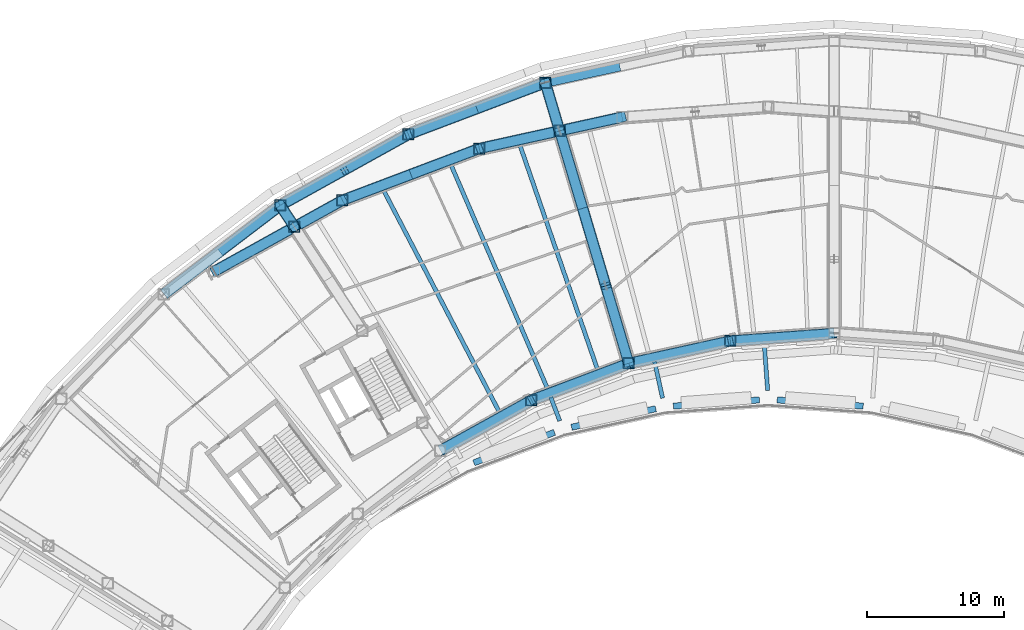
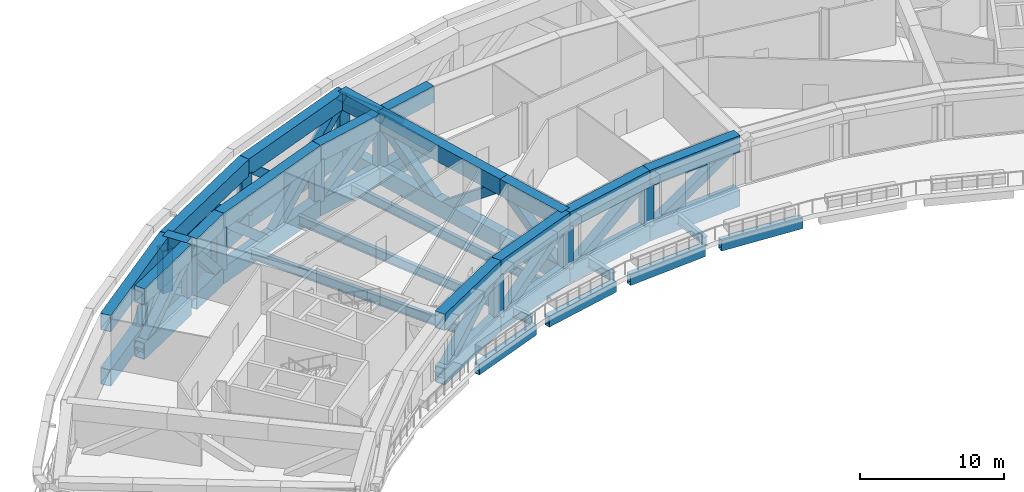
# One storey, part 2 of 25: 42 beams, 31 members.
"""IFC4 building model written with IfcOpenShell, lengths in metres."""

from ifc_helpers import new_model, si_unit, direction, frame, origin, origin_2d, place, context, subcontext, project, spatial, hollow_rectangle, i_section, extrude, material, material_profile, profile_set, type_object, element, save


model = new_model("IFC4")

# Units and contexts
model_context = context("Model", 3, precision=1e-05, world=origin(), true_north=direction((0.0, 1.0)))
body_context = subcontext(model_context, "Body", "Model", "MODEL_VIEW")
ifc_project = project(units=[si_unit("LENGTHUNIT", "METRE"), si_unit("AREAUNIT", "SQUARE_METRE"), si_unit("VOLUMEUNIT", "CUBIC_METRE"), si_unit("PLANEANGLEUNIT", "RADIAN"), si_unit("MASSUNIT", "GRAM", prefix="KILO")], contexts=[model_context])

# Site, building, storey
site_placement = place(None, origin())
site = spatial("IfcSite", under=ifc_project, at=site_placement, CompositionType="ELEMENT")
building_placement = place(site_placement, origin())
building = spatial("IfcBuilding", under=site, at=building_placement, Name="Tuul Gate Civic Tower", CompositionType="ELEMENT")
storey_placement = place(building_placement, frame((0.0, 0.0, 60.89990234375)))
storey = spatial("IfcBuildingStorey", under=building, at=storey_placement, Name="Plant and refuge floor 2", CompositionType="ELEMENT", Elevation=60.89990234375)

# Beams
ifc_material_1 = material(Name="Steel S355", Category="steel")
ifc_material_profile_1 = material_profile(ifc_material_1, i_section(OverallWidth=0.300048828125, OverallDepth=0.800048828125, WebThickness=0.013916015625, FlangeThickness=0.02490234375, at=origin_2d()), Name="PG800x300x14x25")
ifc_profile_set_1 = profile_set([ifc_material_profile_1], Name="Steel S355")
beam_type_1 = type_object("IfcBeamType", Name="STR-FLOOR BEAM-PG800x300x14x25", PredefinedType="BEAM", material=ifc_profile_set_1)
beam_1_placement = place(storey_placement, frame((-12.44580078125, -5.31494140625, -0.7998046875), z_axis=(-0.326922025465, 0.945051315679, 0.0), x_axis=(-0.945051315679, -0.326922025465, 0.0)))
element("IfcBeam", 1, at=beam_1_placement, inside=storey, type_object=beam_type_1, Name="Floor beam", PredefinedType="BEAM", context=body_context, shape_type="SweptSolid", body=[
    extrude(i_section(OverallWidth=0.300048828125, OverallDepth=0.800048828125, WebThickness=0.013916015625, FlangeThickness=0.02490234375, at=origin_2d()), origin(), (0.0, 0.0, 1.0), 17.390380859375),
])
beam_2_placement = place(storey_placement, frame((-16.099609375, -6.697021484375, -0.7998046875), z_axis=(-0.395922163461, 0.918284073955, 0.0), x_axis=(-0.918284073955, -0.395922163461, 0.0)))
element("IfcBeam", 2, at=beam_2_placement, inside=storey, type_object=beam_type_1, Name="Floor beam", PredefinedType="BEAM", context=body_context, shape_type="SweptSolid", body=[
    extrude(i_section(OverallWidth=0.300048828125, OverallDepth=0.800048828125, WebThickness=0.013916015625, FlangeThickness=0.02490234375, at=origin_2d()), origin(), (0.0, 0.0, 1.0), 17.822021484375),
])
beam_3_placement = place(storey_placement, frame((-19.61083984375, -8.40966796875, -0.7998046875), z_axis=(-0.462727909625, 0.886500356263, 0.0), x_axis=(-0.886500356263, -0.462727909625, 0.0)))
element("IfcBeam", 3, at=beam_3_placement, inside=storey, type_object=beam_type_1, Name="Floor beam", PredefinedType="BEAM", context=body_context, shape_type="SweptSolid", body=[
    extrude(i_section(OverallWidth=0.300048828125, OverallDepth=0.800048828125, WebThickness=0.013916015625, FlangeThickness=0.02490234375, at=origin_2d()), origin(), (0.0, 0.0, 1.0), 18.2939453125),
])
beam_4_placement = place(storey_placement, frame((-15.216064453125, -9.031982421875, -0.7998046875), z_axis=(-0.353817073817, 0.935314641324, 0.0), x_axis=(-0.935314641324, -0.353817073817, 0.0)))
element("IfcBeam", 4, at=beam_4_placement, inside=storey, type_object=beam_type_1, Name="Terrace beam", PredefinedType="BEAM", context=body_context, shape_type="SweptSolid", body=[
    extrude(i_section(OverallWidth=0.300048828125, OverallDepth=0.800048828125, WebThickness=0.013916015625, FlangeThickness=0.02490234375, at=origin_2d()), origin(), (0.0, 0.0, 1.0), 1.846435546875),
])
beam_5_placement = place(storey_placement, frame((-7.7119140625, -7.371337890625, -0.7998046875), z_axis=(-0.215128040591, 0.97658585191, 0.0), x_axis=(-0.97658585191, -0.215128040591, 0.0)))
element("IfcBeam", 5, at=beam_5_placement, inside=storey, type_object=beam_type_1, Name="Terrace beam", PredefinedType="BEAM", context=body_context, shape_type="SweptSolid", body=[
    extrude(i_section(OverallWidth=0.300048828125, OverallDepth=0.800048828125, WebThickness=0.013916015625, FlangeThickness=0.02490234375, at=origin_2d()), origin(), (0.0, 0.0, 1.0), 2.711181640625),
])
beam_6_placement = place(storey_placement, frame((-0.047119140625, -6.80859375, -0.7998046875), z_axis=(-0.072313506999, 0.997381951263, 0.0), x_axis=(-0.997381951263, -0.072313506999, 0.0)))
element("IfcBeam", 6, at=beam_6_placement, inside=storey, type_object=beam_type_1, Name="Terrace beam", PredefinedType="BEAM", context=body_context, shape_type="SweptSolid", body=[
    extrude(i_section(OverallWidth=0.300048828125, OverallDepth=0.800048828125, WebThickness=0.013916015625, FlangeThickness=0.02490234375, at=origin_2d()), origin(), (0.0, 0.0, 1.0), 3.497802734375),
])
ifc_material_2 = material(Name="Steel S355", Category="steel")
ifc_material_profile_2 = material_profile(ifc_material_2, hollow_rectangle(XDim=0.449951171875, YDim=0.89990234375, WallThickness=0.02490234375, at=origin_2d()), Name="BOX900x450x25")
ifc_profile_set_2 = profile_set([ifc_material_profile_2], Name="Steel S355")
beam_type_2 = type_object("IfcBeamType", Name="STR-SPANDREL BEAM-BOX900x450x25", PredefinedType="BEAM", material=ifc_profile_set_2)
beam_7_placement = place(storey_placement, frame((-21.47900390625, -12.09521484375, -0.849853515625), z_axis=(0.93536086851, 0.353694848225, 0.0), x_axis=(-0.353694848225, 0.93536086851, 0.0)))
element("IfcBeam", 7, at=beam_7_placement, inside=storey, type_object=beam_type_2, Name="Terrace edge beam", PredefinedType="BEAM", context=body_context, shape_type="SweptSolid", body=[
    extrude(hollow_rectangle(XDim=0.449951171875, YDim=0.89990234375, WallThickness=0.02490234375, at=origin_2d()), origin(), (0.0, 0.0, 1.0), 6.291748046875),
])
beam_8_placement = place(storey_placement, frame((-14.351318359375, -9.5, -0.849853515625), z_axis=(0.976570802394, 0.215196347349, 0.0), x_axis=(-0.215196347349, 0.976570802394, 0.0)))
element("IfcBeam", 8, at=beam_8_placement, inside=storey, type_object=beam_type_2, Name="Terrace edge beam", PredefinedType="BEAM", context=body_context, shape_type="SweptSolid", body=[
    extrude(hollow_rectangle(XDim=0.449951171875, YDim=0.89990234375, WallThickness=0.02490234375, at=origin_2d()), origin(), (0.0, 0.0, 1.0), 6.2919921875),
])
for number, where, z_axis, x_axis, name in (
    (9, (-6.923583984375, -7.958984375, -0.849853515625), (0.997380902931, 0.072327964638, 0.0), (-0.072327964638, 0.997380902931, 0.0), "Terrace edge beam"),
    (10, (0.648193359375, -7.50390625, -0.849853515625), (0.997380902931, -0.072327964638, 0.0), (0.072327964638, 0.997380902931, 0.0), "Terrace edge beam"),
):
    element("IfcBeam", number, at=place(storey_placement, frame(where, z_axis=z_axis, x_axis=x_axis)), inside=storey, type_object=beam_type_2, Name=name, PredefinedType="BEAM", context=body_context, shape_type="SweptSolid", body=[
        extrude(hollow_rectangle(XDim=0.449951171875, YDim=0.89990234375, WallThickness=0.02490234375, at=origin_2d()), origin(), (0.0, 0.0, 1.0), 6.291748046875),
    ])
ifc_material_3 = material(Name="Steel S460", Category="steel")
ifc_material_profile_3 = material_profile(ifc_material_3, hollow_rectangle(XDim=0.800048828125, YDim=1.39990234375, WallThickness=0.0400390625, at=origin_2d()), Name="BOX1400x800x40")
ifc_profile_set_3 = profile_set([ifc_material_profile_3], Name="Steel S460")
beam_type_3 = type_object("IfcBeamType", Name="STR-TRANSFER TRUSS CHORD-BOX1400x800x40", PredefinedType="BEAM", material=ifc_profile_set_3)
beam_9_placement = place(storey_placement, frame((-16.26806640625, 15.636962890625, -1.099853515625), z_axis=(0.285247774822, -0.958453810551, 0.0), x_axis=(0.958453810551, 0.285247774822, 0.0)))
element("IfcBeam", 11, at=beam_9_placement, inside=storey, type_object=beam_type_3, Name="Radial truss bottom chord", PredefinedType="BEAM", context=body_context, shape_type="SweptSolid", body=[
    extrude(hollow_rectangle(XDim=0.800048828125, YDim=1.39990234375, WallThickness=0.0400390625, at=origin_2d()), origin(), (0.0, 0.0, 1.0), 3.670166015625),
])
beam_10_placement = place(storey_placement, frame((-15.22119140625, 12.119384765625, -1.099853515625), z_axis=(0.28522324935, -0.958461109295, 0.0), x_axis=(0.958461109295, 0.28522324935, 0.0)))
element("IfcBeam", 12, at=beam_10_placement, inside=storey, type_object=beam_type_3, Name="Radial truss bottom chord", PredefinedType="BEAM", context=body_context, shape_type="SweptSolid", body=[
    extrude(hollow_rectangle(XDim=0.800048828125, YDim=1.39990234375, WallThickness=0.0400390625, at=origin_2d()), origin(), (0.0, 0.0, 1.0), 11.7900390625),
])
beam_11_placement = place(storey_placement, frame((-11.8583984375, 0.819091796875, -1.099853515625), z_axis=(0.28522324935, -0.958461109295, 0.0), x_axis=(0.958461109295, 0.28522324935, 0.0)))
element("IfcBeam", 13, at=beam_11_placement, inside=storey, type_object=beam_type_3, Name="Radial truss bottom chord", PredefinedType="BEAM", context=body_context, shape_type="SweptSolid", body=[
    extrude(hollow_rectangle(XDim=0.800048828125, YDim=1.39990234375, WallThickness=0.0400390625, at=origin_2d()), origin(), (0.0, 0.0, 1.0), 5.89501953125),
])
beam_12_placement = place(storey_placement, frame((-16.26806640625, 15.636962890625, 3.5), z_axis=(0.285247774822, -0.958453810551, 0.0), x_axis=(0.958453810551, 0.285247774822, 0.0)))
element("IfcBeam", 14, at=beam_12_placement, inside=storey, type_object=beam_type_3, Name="Radial truss top chord", PredefinedType="BEAM", context=body_context, shape_type="SweptSolid", body=[
    extrude(hollow_rectangle(XDim=0.800048828125, YDim=1.39990234375, WallThickness=0.0400390625, at=origin_2d()), origin(), (0.0, 0.0, 1.0), 3.670166015625),
])
beam_13_placement = place(storey_placement, frame((-15.22119140625, 12.119384765625, 3.5), z_axis=(0.28522324935, -0.958461109295, 0.0), x_axis=(0.958461109295, 0.28522324935, 0.0)))
element("IfcBeam", 15, at=beam_13_placement, inside=storey, type_object=beam_type_3, Name="Radial truss top chord", PredefinedType="BEAM", context=body_context, shape_type="SweptSolid", body=[
    extrude(hollow_rectangle(XDim=0.800048828125, YDim=1.39990234375, WallThickness=0.0400390625, at=origin_2d()), origin(), (0.0, 0.0, 1.0), 11.7900390625),
])
beam_14_placement = place(storey_placement, frame((-11.8583984375, 0.819091796875, 3.5), z_axis=(0.28522324935, -0.958461109295, 0.0), x_axis=(0.958461109295, 0.28522324935, 0.0)))
element("IfcBeam", 16, at=beam_14_placement, inside=storey, type_object=beam_type_3, Name="Radial truss top chord", PredefinedType="BEAM", context=body_context, shape_type="SweptSolid", body=[
    extrude(hollow_rectangle(XDim=0.800048828125, YDim=1.39990234375, WallThickness=0.0400390625, at=origin_2d()), origin(), (0.0, 0.0, 1.0), 5.89501953125),
])
for number, where, z_axis, x_axis, name in (
    (17, (-35.593994140625, 6.68408203125, -1.099853515625), (0.546699680379, -0.837328764269, 0.0), (0.837328764269, 0.546699680379, 0.0), "Radial truss bottom chord"),
    (18, (-35.593994140625, 6.68408203125, 3.5), (0.546699680379, -0.837328764269, 0.0), (0.837328764269, 0.546699680379, 0.0), "Radial truss top chord"),
):
    element("IfcBeam", number, at=place(storey_placement, frame(where, z_axis=z_axis, x_axis=x_axis)), inside=storey, type_object=beam_type_3, Name=name, PredefinedType="BEAM", context=body_context, shape_type="SweptSolid", body=[
        extrude(hollow_rectangle(XDim=0.800048828125, YDim=1.39990234375, WallThickness=0.0400390625, at=origin_2d()), origin(), (0.0, 0.0, 1.0), 1.879150390625),
    ])
beam_15_placement = place(storey_placement, frame((-10.64892578125, 13.126953125, -1.099853515625), z_axis=(-0.976575964137, -0.215172921787, 0.0), x_axis=(0.215172921787, -0.976575964137, 0.0)))
element("IfcBeam", 19, at=beam_15_placement, inside=storey, type_object=beam_type_3, Name="Belt truss bottom chord", PredefinedType="BEAM", context=body_context, shape_type="SweptSolid", body=[
    extrude(hollow_rectangle(XDim=0.800048828125, YDim=1.39990234375, WallThickness=0.0400390625, at=origin_2d()), origin(), (0.0, 0.0, 1.0), 4.281005859375),
])
beam_16_placement = place(storey_placement, frame((-15.61279296875, 12.033203125, -1.099853515625), z_axis=(-0.976569508949, -0.215202216976, 0.0), x_axis=(0.215202216976, -0.976569508949, 0.0)))
element("IfcBeam", 20, at=beam_16_placement, inside=storey, type_object=beam_type_3, Name="Belt truss bottom chord", PredefinedType="BEAM", context=body_context, shape_type="SweptSolid", body=[
    extrude(hollow_rectangle(XDim=0.800048828125, YDim=1.39990234375, WallThickness=0.0400390625, at=origin_2d()), origin(), (0.0, 0.0, 1.0), 5.59521484375),
])
beam_17_placement = place(storey_placement, frame((-10.64892578125, 13.126953125, 3.5), z_axis=(-0.976575964137, -0.215172921787, 0.0), x_axis=(0.215172921787, -0.976575964137, 0.0)))
element("IfcBeam", 21, at=beam_17_placement, inside=storey, type_object=beam_type_3, Name="Belt truss top chord", PredefinedType="BEAM", context=body_context, shape_type="SweptSolid", body=[
    extrude(hollow_rectangle(XDim=0.800048828125, YDim=1.39990234375, WallThickness=0.0400390625, at=origin_2d()), origin(), (0.0, 0.0, 1.0), 4.281005859375),
])
beam_18_placement = place(storey_placement, frame((-15.61279296875, 12.033203125, 3.5), z_axis=(-0.976569508949, -0.215202216976, 0.0), x_axis=(0.215202216976, -0.976569508949, 0.0)))
element("IfcBeam", 22, at=beam_18_placement, inside=storey, type_object=beam_type_3, Name="Belt truss top chord", PredefinedType="BEAM", context=body_context, shape_type="SweptSolid", body=[
    extrude(hollow_rectangle(XDim=0.800048828125, YDim=1.39990234375, WallThickness=0.0400390625, at=origin_2d()), origin(), (0.0, 0.0, 1.0), 5.59521484375),
])
for number, where, z_axis, x_axis, name in (
    (23, (-26.2548828125, 11.861083984375, -1.099853515625), (-0.874609858439, -0.484827387347, 0.0), (0.484827387347, -0.874609858439, 0.0), "Belt truss bottom chord"),
    (24, (-26.2548828125, 11.861083984375, 3.5), (-0.874609858439, -0.484827387347, 0.0), (0.484827387347, -0.874609858439, 0.0), "Belt truss top chord"),
):
    element("IfcBeam", number, at=place(storey_placement, frame(where, z_axis=z_axis, x_axis=x_axis)), inside=storey, type_object=beam_type_3, Name=name, PredefinedType="BEAM", context=body_context, shape_type="SweptSolid", body=[
        extrude(hollow_rectangle(XDim=0.800048828125, YDim=1.39990234375, WallThickness=0.0400390625, at=origin_2d()), origin(), (0.0, 0.0, 1.0), 10.677978515625),
    ])
for number, where, z_axis, x_axis, name in (
    (25, (-21.076904296875, 10.8291015625, -1.099853515625), (-0.935341677357, -0.353745595873, 0.0), (0.353745595873, -0.935341677357, 0.0), "Belt truss bottom chord"),
    (26, (-21.076904296875, 10.8291015625, 3.5), (-0.935341677357, -0.353745595873, 0.0), (0.353745595873, -0.935341677357, 0.0), "Belt truss top chord"),
):
    element("IfcBeam", number, at=place(storey_placement, frame(where, z_axis=z_axis, x_axis=x_axis)), inside=storey, type_object=beam_type_3, Name=name, PredefinedType="BEAM", context=body_context, shape_type="SweptSolid", body=[
        extrude(hollow_rectangle(XDim=0.800048828125, YDim=1.39990234375, WallThickness=0.0400390625, at=origin_2d()), origin(), (0.0, 0.0, 1.0), 10.677490234375),
    ])
for number, where, z_axis, x_axis, name in (
    (27, (-35.593994140625, 6.68408203125, -1.099853515625), (-0.795632710164, -0.605779324933, 0.0), (0.605779324933, -0.795632710164, 0.0), "Belt truss bottom chord"),
    (28, (-35.593994140625, 6.68408203125, 3.5), (-0.795632710164, -0.605779324933, 0.0), (0.605779324933, -0.795632710164, 0.0), "Belt truss top chord"),
):
    element("IfcBeam", number, at=place(storey_placement, frame(where, z_axis=z_axis, x_axis=x_axis)), inside=storey, type_object=beam_type_3, Name=name, PredefinedType="BEAM", context=body_context, shape_type="SweptSolid", body=[
        extrude(hollow_rectangle(XDim=0.800048828125, YDim=1.39990234375, WallThickness=0.0400390625, at=origin_2d()), origin(), (0.0, 0.0, 1.0), 10.67724609375),
    ])
for number, where, z_axis, x_axis, name in (
    (29, (-16.26806640625, 15.636962890625, -1.099853515625), (-0.935376640888, -0.353653134698, 0.0), (0.353653134698, -0.935376640888, 0.0), "Belt truss bottom chord"),
    (30, (-16.26806640625, 15.636962890625, 3.5), (-0.935376640888, -0.353653134698, 0.0), (0.353653134698, -0.935376640888, 0.0), "Belt truss top chord"),
):
    element("IfcBeam", number, at=place(storey_placement, frame(where, z_axis=z_axis, x_axis=x_axis)), inside=storey, type_object=beam_type_3, Name=name, PredefinedType="BEAM", context=body_context, shape_type="SweptSolid", body=[
        extrude(hollow_rectangle(XDim=0.800048828125, YDim=1.39990234375, WallThickness=0.0400390625, at=origin_2d()), origin(), (0.0, 0.0, 1.0), 10.6767578125),
    ])
beam_19_placement = place(storey_placement, frame((-31.06396484375, 7.052001953125, -1.099853515625), z_axis=(-0.87461806903, -0.484812575463, 0.0), x_axis=(0.484812575463, -0.87461806903, 0.0)))
element("IfcBeam", 31, at=beam_19_placement, inside=storey, type_object=beam_type_3, Name="Belt truss bottom chord", PredefinedType="BEAM", context=body_context, shape_type="SweptSolid", body=[
    extrude(hollow_rectangle(XDim=0.800048828125, YDim=1.39990234375, WallThickness=0.0400390625, at=origin_2d()), origin(), (0.0, 0.0, 1.0), 3.62060546875),
])
beam_20_placement = place(storey_placement, frame((-34.902587890625, 4.92431640625, -1.099853515625), z_axis=(-0.874625727749, -0.48479875862, 0.0), x_axis=(0.48479875862, -0.874625727749, 0.0)))
element("IfcBeam", 32, at=beam_20_placement, inside=storey, type_object=beam_type_3, Name="Belt truss bottom chord", PredefinedType="BEAM", context=body_context, shape_type="SweptSolid", body=[
    extrude(hollow_rectangle(XDim=0.800048828125, YDim=1.39990234375, WallThickness=0.0400390625, at=origin_2d()), origin(), (0.0, 0.0, 1.0), 6.287841796875),
])
beam_21_placement = place(storey_placement, frame((-31.06396484375, 7.052001953125, 3.5), z_axis=(-0.87461806903, -0.484812575463, 0.0), x_axis=(0.484812575463, -0.87461806903, 0.0)))
element("IfcBeam", 33, at=beam_21_placement, inside=storey, type_object=beam_type_3, Name="Belt truss top chord", PredefinedType="BEAM", context=body_context, shape_type="SweptSolid", body=[
    extrude(hollow_rectangle(XDim=0.800048828125, YDim=1.39990234375, WallThickness=0.0400390625, at=origin_2d()), origin(), (0.0, 0.0, 1.0), 3.62060546875),
])
beam_22_placement = place(storey_placement, frame((-34.902587890625, 4.92431640625, 3.5), z_axis=(-0.874625727749, -0.48479875862, 0.0), x_axis=(0.48479875862, -0.874625727749, 0.0)))
element("IfcBeam", 34, at=beam_22_placement, inside=storey, type_object=beam_type_3, Name="Belt truss top chord", PredefinedType="BEAM", context=body_context, shape_type="SweptSolid", body=[
    extrude(hollow_rectangle(XDim=0.800048828125, YDim=1.39990234375, WallThickness=0.0400390625, at=origin_2d()), origin(), (0.0, 0.0, 1.0), 6.287841796875),
])
for number, where, z_axis, x_axis, name in (
    (35, (-17.278076171875, -7.51708984375, -1.099853515625), (0.935323649079, 0.353793260922, 0.0), (-0.353793260922, 0.935323649079, 0.0), "Belt truss bottom chord"),
    (36, (-17.278076171875, -7.51708984375, 3.5), (0.935323649079, 0.353793260922, 0.0), (-0.353793260922, 0.935323649079, 0.0), "Belt truss top chord"),
):
    element("IfcBeam", number, at=place(storey_placement, frame(where, z_axis=z_axis, x_axis=x_axis)), inside=storey, type_object=beam_type_3, Name=name, PredefinedType="BEAM", context=body_context, shape_type="SweptSolid", body=[
        extrude(hollow_rectangle(XDim=0.800048828125, YDim=1.39990234375, WallThickness=0.0400390625, at=origin_2d()), origin(), (0.0, 0.0, 1.0), 7.592041015625),
    ])
for number, where, z_axis, x_axis, name in (
    (37, (-2.763916015625, -3.197998046875, -1.099853515625), (0.997381233603, 0.072323404623, 0.0), (-0.072323404623, 0.997381233603, 0.0), "Belt truss bottom chord"),
    (38, (-2.763916015625, -3.197998046875, 3.5), (0.997381233603, 0.072323404623, 0.0), (-0.072323404623, 0.997381233603, 0.0), "Belt truss top chord"),
):
    element("IfcBeam", number, at=place(storey_placement, frame(where, z_axis=z_axis, x_axis=x_axis)), inside=storey, type_object=beam_type_3, Name=name, PredefinedType="BEAM", context=body_context, shape_type="SweptSolid", body=[
        extrude(hollow_rectangle(XDim=0.800048828125, YDim=1.39990234375, WallThickness=0.0400390625, at=origin_2d()), origin(), (0.0, 0.0, 1.0), 7.591796875),
    ])
for number, where, z_axis, x_axis, name in (
    (39, (-23.91796875, -11.197021484375, -1.099853515625), (0.874654386478, 0.484747051785, 0.0), (-0.484747051785, 0.874654386478, 0.0), "Belt truss bottom chord"),
    (40, (-23.91796875, -11.197021484375, 3.5), (0.874654386478, 0.484747051785, 0.0), (-0.484747051785, 0.874654386478, 0.0), "Belt truss top chord"),
):
    element("IfcBeam", number, at=place(storey_placement, frame(where, z_axis=z_axis, x_axis=x_axis)), inside=storey, type_object=beam_type_3, Name=name, PredefinedType="BEAM", context=body_context, shape_type="SweptSolid", body=[
        extrude(hollow_rectangle(XDim=0.800048828125, YDim=1.39990234375, WallThickness=0.0400390625, at=origin_2d()), origin(), (0.0, 0.0, 1.0), 7.591552734375),
    ])
for number, where, z_axis, x_axis, name in (
    (41, (-10.177001953125, -4.8310546875, -1.099853515625), (0.976584226324, 0.215135419901, 0.0), (-0.215135419901, 0.976584226324, 0.0), "Belt truss bottom chord"),
    (42, (-10.177001953125, -4.8310546875, 3.5), (0.976584226324, 0.215135419901, 0.0), (-0.215135419901, 0.976584226324, 0.0), "Belt truss top chord"),
):
    element("IfcBeam", number, at=place(storey_placement, frame(where, z_axis=z_axis, x_axis=x_axis)), inside=storey, type_object=beam_type_3, Name=name, PredefinedType="BEAM", context=body_context, shape_type="SweptSolid", body=[
        extrude(hollow_rectangle(XDim=0.800048828125, YDim=1.39990234375, WallThickness=0.0400390625, at=origin_2d()), origin(), (0.0, 0.0, 1.0), 7.5908203125),
    ])

# Members
ifc_material_4 = material(Name="Steel S355", Category="steel")
ifc_material_profile_4 = material_profile(ifc_material_4, hollow_rectangle(XDim=0.699951171875, YDim=0.699951171875, WallThickness=0.031982421875, at=origin_2d()), Name="BOX700x700x32")
ifc_profile_set_4 = profile_set([ifc_material_profile_4], Name="Steel S355")
member_type_1 = type_object("IfcMemberType", Name="STR-TRANSFER TRUSS DIAGONAL-BOX700x700x32", PredefinedType="BRACE", material=ifc_profile_set_4)
member_1_placement = place(storey_placement, frame((-16.268798828125, 15.639892578125, -1.103759765625), z_axis=(0.177892964609, -0.597753495982, 0.78169357883), x_axis=(0.958456401459, 0.285239069032, 0.0)))
element("IfcMember", 43, at=member_1_placement, inside=storey, type_object=member_type_1, Name="Radial truss web", PredefinedType="BRACE", context=body_context, shape_type="SweptSolid", body=[
    extrude(hollow_rectangle(XDim=0.699951171875, YDim=0.699951171875, WallThickness=0.031982421875, at=origin_2d()), origin(), (0.0, 0.0, 1.0), 5.89453125),
])
for number, where, z_axis, x_axis, name in (
    (44, (-13.53857421875, 6.465576171875, -1.10302734375), (-0.224887572026, 0.755624850533, 0.615188316864), (-0.95845234767, -0.285252690165, 0.0), "Radial truss web"),
    (45, (-13.541015625, 6.47314453125, -1.10302734375), (0.224887572026, -0.755624850533, 0.615188316864), (0.95845234767, 0.285252690165, 0.0), "Radial truss web"),
    (46, (-10.17578125, -4.834716796875, -1.10302734375), (-0.224887572026, 0.755624850533, 0.615188316864), (-0.95845234767, -0.285252690165, 0.0), "Radial truss web"),
):
    element("IfcMember", number, at=place(storey_placement, frame(where, z_axis=z_axis, x_axis=x_axis)), inside=storey, type_object=member_type_1, Name=name, PredefinedType="BRACE", context=body_context, shape_type="SweptSolid", body=[
        extrude(hollow_rectangle(XDim=0.699951171875, YDim=0.699951171875, WallThickness=0.031982421875, at=origin_2d()), origin(), (0.0, 0.0, 1.0), 7.487548828125),
    ])
member_2_placement = place(storey_placement, frame((-35.594970703125, 6.685546875, -1.1044921875), z_axis=(0.206778924603, -0.31666547192, 0.925724286834), x_axis=(0.837298364651, 0.546746237803, 0.0)))
element("IfcMember", 47, at=member_2_placement, inside=storey, type_object=member_type_1, Name="Radial truss web", PredefinedType="BRACE", context=body_context, shape_type="SweptSolid", body=[
    extrude(hollow_rectangle(XDim=0.699951171875, YDim=0.699951171875, WallThickness=0.031982421875, at=origin_2d()), origin(), (0.0, 0.0, 1.0), 4.97900390625),
])
member_3_placement = place(storey_placement, frame((-10.6455078125, 13.127685546875, -1.103515625), z_axis=(-0.696588103477, -0.153497474497, 0.700859143778), x_axis=(0.215193522041, -0.976571424972, 0.0)))
element("IfcMember", 48, at=member_3_placement, inside=storey, type_object=member_type_1, Name="Belt truss web", PredefinedType="BRACE", context=body_context, shape_type="SweptSolid", body=[
    extrude(hollow_rectangle(XDim=0.699951171875, YDim=0.699951171875, WallThickness=0.031982421875, at=origin_2d()), origin(), (0.0, 0.0, 1.0), 6.57373046875),
])
member_4_placement = place(storey_placement, frame((-21.080810546875, 10.828125, -1.10302734375), z_axis=(0.774824249009, 0.170760076196, 0.608677566143), x_axis=(-0.215220910435, 0.976565389368, 0.0)))
element("IfcMember", 49, at=member_4_placement, inside=storey, type_object=member_type_1, Name="Belt truss web", PredefinedType="BRACE", context=body_context, shape_type="SweptSolid", body=[
    extrude(hollow_rectangle(XDim=0.699951171875, YDim=0.699951171875, WallThickness=0.031982421875, at=origin_2d()), origin(), (0.0, 0.0, 1.0), 7.567626953125),
])
member_5_placement = place(storey_placement, frame((-26.251708984375, 11.86279296875, -1.103271484375), z_axis=(-0.662579973706, -0.367285103161, 0.652755261518), x_axis=(0.484820754204, -0.874613535393, 0.0)))
element("IfcMember", 50, at=member_5_placement, inside=storey, type_object=member_type_1, Name="Belt truss web", PredefinedType="BRACE", context=body_context, shape_type="SweptSolid", body=[
    extrude(hollow_rectangle(XDim=0.699951171875, YDim=0.699951171875, WallThickness=0.031982421875, at=origin_2d()), origin(), (0.0, 0.0, 1.0), 7.057373046875),
])
member_6_placement = place(storey_placement, frame((-35.597412109375, 6.68212890625, -1.103271484375), z_axis=(0.662590961123, 0.367306610901, 0.65273200613), x_axis=(-0.484836321037, 0.874604906117, 0.0)))
element("IfcMember", 51, at=member_6_placement, inside=storey, type_object=member_type_1, Name="Belt truss web", PredefinedType="BRACE", context=body_context, shape_type="SweptSolid", body=[
    extrude(hollow_rectangle(XDim=0.699951171875, YDim=0.699951171875, WallThickness=0.031982421875, at=origin_2d()), origin(), (0.0, 0.0, 1.0), 7.0576171875),
])
member_7_placement = place(storey_placement, frame((-26.073974609375, 8.939208984375, -1.103271484375), z_axis=(0.70857466479, 0.267972822647, 0.652772939651), x_axis=(-0.353734461939, 0.935345888127, 0.0)))
element("IfcMember", 52, at=member_7_placement, inside=storey, type_object=member_type_1, Name="Belt truss web", PredefinedType="BRACE", context=body_context, shape_type="SweptSolid", body=[
    extrude(hollow_rectangle(XDim=0.699951171875, YDim=0.699951171875, WallThickness=0.031982421875, at=origin_2d()), origin(), (0.0, 0.0, 1.0), 7.05712890625),
])
member_8_placement = place(storey_placement, frame((-26.06689453125, 8.94189453125, -1.103271484375), z_axis=(-0.708591889763, -0.267966253874, 0.652756938336), x_axis=(0.353719353059, -0.935351601951, 0.0)))
element("IfcMember", 53, at=member_8_placement, inside=storey, type_object=member_type_1, Name="Belt truss web", PredefinedType="BRACE", context=body_context, shape_type="SweptSolid", body=[
    extrude(hollow_rectangle(XDim=0.699951171875, YDim=0.699951171875, WallThickness=0.031982421875, at=origin_2d()), origin(), (0.0, 0.0, 1.0), 7.057373046875),
])
member_9_placement = place(storey_placement, frame((-11.05078125, 16.786865234375, -1.103271484375), z_axis=(-0.739806084527, -0.163044473995, 0.652766004627), x_axis=(0.215223296771, -0.976564863451, 0.0)))
element("IfcMember", 54, at=member_9_placement, inside=storey, type_object=member_type_1, Name="Belt truss web", PredefinedType="BRACE", context=body_context, shape_type="SweptSolid", body=[
    extrude(hollow_rectangle(XDim=0.699951171875, YDim=0.699951171875, WallThickness=0.031982421875, at=origin_2d()), origin(), (0.0, 0.0, 1.0), 7.05712890625),
])
member_10_placement = place(storey_placement, frame((-39.844482421875, 3.44775390625, -1.103271484375), z_axis=(0.602723552611, 0.458909879772, 0.652783303537), x_axis=(-0.605785883419, 0.795627716617, 0.0)))
element("IfcMember", 55, at=member_10_placement, inside=storey, type_object=member_type_1, Name="Belt truss web", PredefinedType="BRACE", context=body_context, shape_type="SweptSolid", body=[
    extrude(hollow_rectangle(XDim=0.699951171875, YDim=0.699951171875, WallThickness=0.031982421875, at=origin_2d()), origin(), (0.0, 0.0, 1.0), 7.056884765625),
])
member_11_placement = place(storey_placement, frame((-21.26513671875, 13.74755859375, -1.103271484375), z_axis=(0.708598458123, 0.267934143346, 0.652762989128), x_axis=(-0.353679400772, 0.935366709622, 0.0)))
element("IfcMember", 56, at=member_11_placement, inside=storey, type_object=member_type_1, Name="Belt truss web", PredefinedType="BRACE", context=body_context, shape_type="SweptSolid", body=[
    extrude(hollow_rectangle(XDim=0.699951171875, YDim=0.699951171875, WallThickness=0.031982421875, at=origin_2d()), origin(), (0.0, 0.0, 1.0), 7.05712890625),
])
member_12_placement = place(storey_placement, frame((-21.258056640625, 13.750244140625, -1.103271484375), z_axis=(-0.708587801168, -0.267908599367, 0.652785041511), x_axis=(0.353654552993, -0.935376104649, 0.0)))
element("IfcMember", 57, at=member_12_placement, inside=storey, type_object=member_type_1, Name="Belt truss web", PredefinedType="BRACE", context=body_context, shape_type="SweptSolid", body=[
    extrude(hollow_rectangle(XDim=0.699951171875, YDim=0.699951171875, WallThickness=0.031982421875, at=origin_2d()), origin(), (0.0, 0.0, 1.0), 7.056884765625),
])
member_13_placement = place(storey_placement, frame((-31.06103515625, 7.0537109375, -1.103759765625), z_axis=(-0.574274579274, -0.318348733368, 0.754229932821), x_axis=(0.484836573823, -0.874604765985, 0.0)))
element("IfcMember", 58, at=member_13_placement, inside=storey, type_object=member_type_1, Name="Belt truss web", PredefinedType="BRACE", context=body_context, shape_type="SweptSolid", body=[
    extrude(hollow_rectangle(XDim=0.699951171875, YDim=0.699951171875, WallThickness=0.031982421875, at=origin_2d()), origin(), (0.0, 0.0, 1.0), 6.109130859375),
])
member_14_placement = place(storey_placement, frame((-40.405517578125, 1.8740234375, -1.102783203125), z_axis=(0.720061987133, 0.399131764628, 0.567630662624), x_axis=(-0.484804869973, 0.874622340242, 0.0)))
element("IfcMember", 59, at=member_14_placement, inside=storey, type_object=member_type_1, Name="Belt truss web", PredefinedType="BRACE", context=body_context, shape_type="SweptSolid", body=[
    extrude(hollow_rectangle(XDim=0.699951171875, YDim=0.699951171875, WallThickness=0.031982421875, at=origin_2d()), origin(), (0.0, 0.0, 1.0), 8.114013671875),
])
for number, where, z_axis, x_axis, name in (
    (60, (-17.281982421875, -7.5185546875, -1.1025390625), (0.799939352886, 0.302580260756, 0.51821059185), (-0.353790331579, 0.93532475712, 0.0), "Belt truss web"),
    (61, (-2.768310546875, -3.1982421875, -1.1025390625), (0.853014809292, 0.061840139637, 0.518209930682), (-0.07230621457, 0.997382479962, 0.0), "Belt truss web"),
):
    element("IfcMember", number, at=place(storey_placement, frame(where, z_axis=z_axis, x_axis=x_axis)), inside=storey, type_object=member_type_1, Name=name, PredefinedType="BRACE", context=body_context, shape_type="SweptSolid", body=[
        extrude(hollow_rectangle(XDim=0.699951171875, YDim=0.699951171875, WallThickness=0.031982421875, at=origin_2d()), origin(), (0.0, 0.0, 1.0), 8.88671875),
    ])
member_15_placement = place(storey_placement, frame((-23.921630859375, -11.198974609375, -1.1025390625), z_axis=(0.748043191492, 0.414572196254, 0.518228981971), x_axis=(-0.484742611512, 0.874656847332, 0.0)))
element("IfcMember", 62, at=member_15_placement, inside=storey, type_object=member_type_1, Name="Belt truss web", PredefinedType="BRACE", context=body_context, shape_type="SweptSolid", body=[
    extrude(hollow_rectangle(XDim=0.699951171875, YDim=0.699951171875, WallThickness=0.031982421875, at=origin_2d()), origin(), (0.0, 0.0, 1.0), 8.886474609375),
])
member_16_placement = place(storey_placement, frame((-10.18115234375, -4.83203125, -1.1025390625), z_axis=(0.835191530391, 0.184001502698, 0.518264946304), x_axis=(-0.215151046414, 0.976580783769, 0.0)))
element("IfcMember", 63, at=member_16_placement, inside=storey, type_object=member_type_1, Name="Belt truss web", PredefinedType="BRACE", context=body_context, shape_type="SweptSolid", body=[
    extrude(hollow_rectangle(XDim=0.699951171875, YDim=0.699951171875, WallThickness=0.031982421875, at=origin_2d()), origin(), (0.0, 0.0, 1.0), 8.8857421875),
])
ifc_material_5 = material(Name="Steel S355", Category="steel")
ifc_material_profile_5 = material_profile(ifc_material_5, hollow_rectangle(XDim=0.800048828125, YDim=0.800048828125, WallThickness=0.034912109375, at=origin_2d()), Name="BOX800x800x35")
ifc_profile_set_5 = profile_set([ifc_material_profile_5], Name="Steel S355")
member_type_2 = type_object("IfcMemberType", Name="STR-TRUSS POST-BOX800x800x35", PredefinedType="POST", material=ifc_profile_set_5)
for number, where, z_axis, x_axis, name in (
    (64, (-16.26806640625, 15.636962890625, -0.594970703125), (0.0, 0.0, 1.0), (1.0, 0.0, 0.0), "Radial truss post"),
    (65, (-15.22119140625, 12.119384765625, -0.594970703125), (0.0, 0.0, 1.0), (1.0, 0.0, 0.0), "Radial truss post"),
    (66, (-10.177001953125, -4.8310546875, -0.594970703125), (0.0, 0.0, 1.0), (1.0, 0.0, 0.0), "Radial truss post"),
    (67, (-35.593994140625, 6.68408203125, -0.594970703125), (0.0, 0.0, 1.0), (1.0, 0.0, 0.0), "Radial truss post"),
    (68, (-34.566650390625, 5.110595703125, -0.594970703125), (0.0, 0.0, 1.0), (1.0, 0.0, 0.0), "Radial truss post"),
    (69, (-21.076904296875, 10.8291015625, -0.594970703125), (0.0, 0.0, 1.0), (1.0, 0.0, 0.0), "Belt truss post"),
    (70, (-26.2548828125, 11.861083984375, -0.594970703125), (0.0, 0.0, 1.0), (1.0, 0.0, 0.0), "Belt truss post"),
    (71, (-31.06396484375, 7.052001953125, -0.594970703125), (0.0, 0.0, 1.0), (1.0, 0.0, 0.0), "Belt truss post"),
    (72, (-17.278076171875, -7.51708984375, -0.594970703125), (0.0, 0.0, 1.0), (1.0, 0.0, 0.0), "Belt truss post"),
    (73, (-2.763916015625, -3.197998046875, -0.594970703125), (0.0, 0.0, 1.0), (1.0, 0.0, 0.0), "Belt truss post"),
):
    element("IfcMember", number, at=place(storey_placement, frame(where, z_axis=z_axis, x_axis=x_axis)), inside=storey, type_object=member_type_2, Name=name, PredefinedType="POST", context=body_context, shape_type="SweptSolid", body=[
        extrude(hollow_rectangle(XDim=0.800048828125, YDim=0.800048828125, WallThickness=0.034912109375, at=origin_2d()), origin(), (0.0, 0.0, 1.0), 3.590087890625),
    ])

save(model, "model.ifc")
